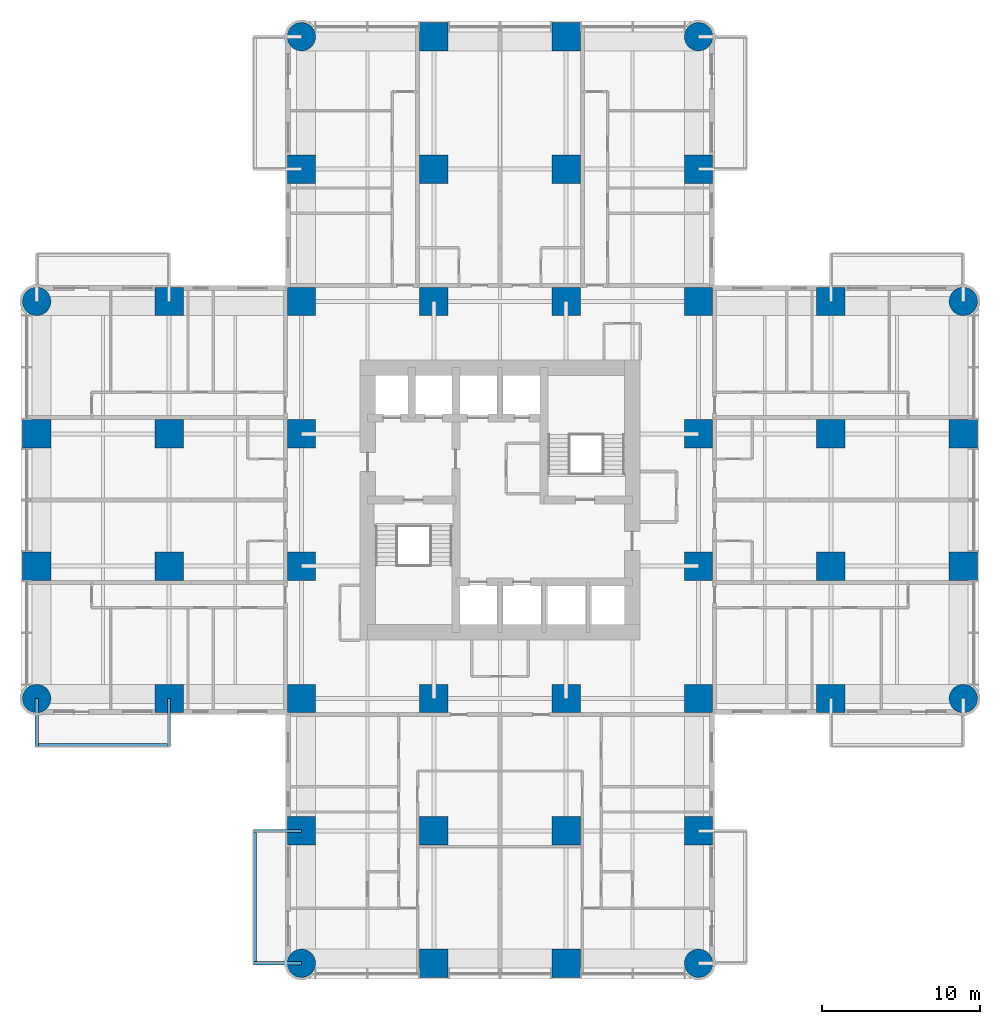
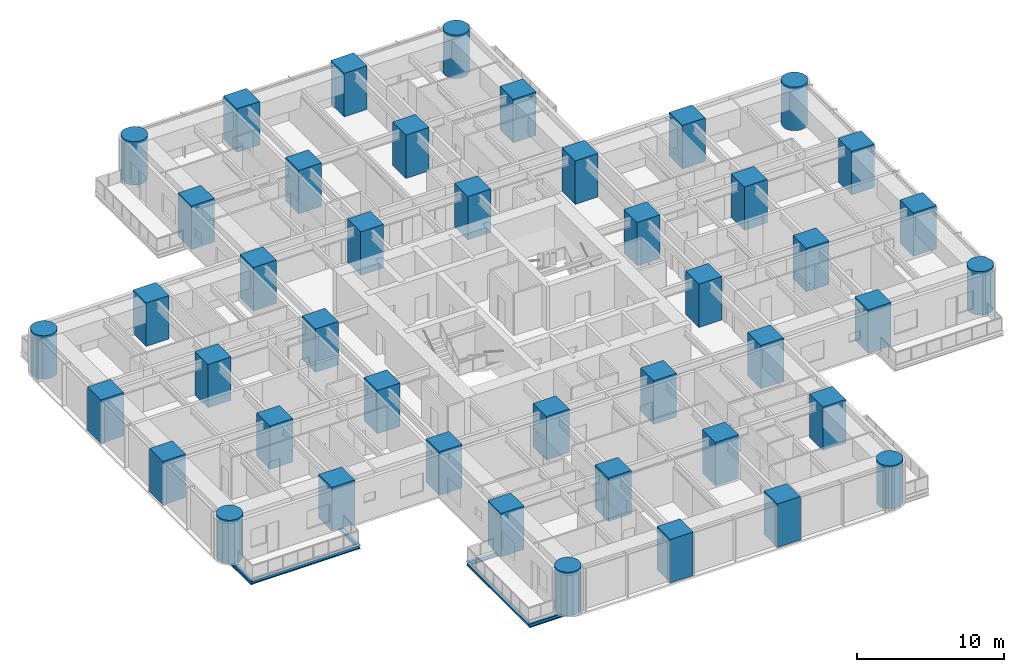
# One storey, part 1 of 17: 44 columns, 6 beams.
"""IFC4 building model written with IfcOpenShell, lengths in metres."""

from ifc_helpers import new_model, si_unit, direction, frame, origin, origin_2d, place, context, subcontext, project, spatial, rectangle, circle, i_section, extrude, material, material_profile, profile_set, type_object, element, save


model = new_model("IFC4")

# Units and contexts
model_context = context("Model", 3, precision=1e-05, world=origin(), true_north=direction((0.0, 1.0)))
body_context = subcontext(model_context, "Body", "Model", "MODEL_VIEW")
ifc_project = project(units=[si_unit("LENGTHUNIT", "METRE"), si_unit("AREAUNIT", "SQUARE_METRE"), si_unit("VOLUMEUNIT", "CUBIC_METRE"), si_unit("PLANEANGLEUNIT", "RADIAN"), si_unit("MASSUNIT", "GRAM", prefix="KILO")], contexts=[model_context])

# Site, building, storey
site_placement = place(None, origin())
site = spatial("IfcSite", under=ifc_project, at=site_placement, CompositionType="ELEMENT")
building_placement = place(site_placement, origin())
building = spatial("IfcBuilding", under=site, at=building_placement, Name="Torre Alcanfor", CompositionType="ELEMENT")
storey_placement = place(building_placement, frame((0.0, 0.0, 84.89990234375)))
storey = spatial("IfcBuildingStorey", under=building, at=storey_placement, Name="L21", CompositionType="ELEMENT", Elevation=84.89990234375)

# Columns
ifc_material_1 = material(Name="Concrete f'c 70 MPa", Category="concrete")
ifc_material_profile_1 = material_profile(ifc_material_1, rectangle(XDim=1.800048828125, YDim=1.800048828125, at=origin_2d()), Name="1800x1800")
ifc_profile_set_1 = profile_set([ifc_material_profile_1], Name="Concrete f'c 70 MPa")
column_type_1 = type_object("IfcColumnType", Name="RC column 1800x1800 f'c70", PredefinedType="COLUMN", material=ifc_profile_set_1)
for number, where, z_axis, x_axis, name in (
    (1, (0.0, 25.199951171875, 0.0), (0.0, 0.0, 1.0), (1.0, 0.0, 0.0), "Column 1/F L21"),
    (2, (0.0, 33.60009765625, 0.0), (0.0, 0.0, 1.0), (1.0, 0.0, 0.0), "Column 1/G L21"),
    (3, (8.39990234375, 16.800048828125, 0.0), (0.0, 0.0, 1.0), (1.0, 0.0, 0.0), "Column 2/E L21"),
    (4, (8.39990234375, 25.199951171875, 0.0), (0.0, 0.0, 1.0), (1.0, 0.0, 0.0), "Column 2/F L21"),
    (5, (8.39990234375, 33.60009765625, 0.0), (0.0, 0.0, 1.0), (1.0, 0.0, 0.0), "Column 2/G L21"),
    (6, (8.39990234375, 42.0, 0.0), (0.0, 0.0, 1.0), (1.0, 0.0, 0.0), "Column 2/H L21"),
    (7, (16.800048828125, 8.39990234375, 0.0), (0.0, 0.0, 1.0), (1.0, 0.0, 0.0), "Column 3/D L21"),
    (8, (16.800048828125, 16.800048828125, 0.0), (0.0, 0.0, 1.0), (1.0, 0.0, 0.0), "Column 3/E L21"),
    (9, (16.800048828125, 25.199951171875, 0.0), (0.0, 0.0, 1.0), (1.0, 0.0, 0.0), "Column 3/F L21"),
    (10, (16.800048828125, 33.60009765625, 0.0), (0.0, 0.0, 1.0), (1.0, 0.0, 0.0), "Column 3/G L21"),
    (11, (16.800048828125, 42.0, 0.0), (0.0, 0.0, 1.0), (1.0, 0.0, 0.0), "Column 3/H L21"),
    (12, (16.800048828125, 50.39990234375, 0.0), (0.0, 0.0, 1.0), (1.0, 0.0, 0.0), "Column 3/J L21"),
    (13, (25.199951171875, 0.0, 0.0), (0.0, 0.0, 1.0), (1.0, 0.0, 0.0), "Column 4/C L21"),
    (14, (25.199951171875, 8.39990234375, 0.0), (0.0, 0.0, 1.0), (1.0, 0.0, 0.0), "Column 4/D L21"),
    (15, (25.199951171875, 16.800048828125, 0.0), (0.0, 0.0, 1.0), (1.0, 0.0, 0.0), "Column 4/E L21"),
    (16, (25.199951171875, 42.0, 0.0), (0.0, 0.0, 1.0), (1.0, 0.0, 0.0), "Column 4/H L21"),
    (17, (25.199951171875, 50.39990234375, 0.0), (0.0, 0.0, 1.0), (1.0, 0.0, 0.0), "Column 4/J L21"),
    (18, (25.199951171875, 58.800048828125, 0.0), (0.0, 0.0, 1.0), (1.0, 0.0, 0.0), "Column 4/K L21"),
    (19, (33.60009765625, 0.0, 0.0), (0.0, 0.0, 1.0), (1.0, 0.0, 0.0), "Column 5/C L21"),
    (20, (33.60009765625, 8.39990234375, 0.0), (0.0, 0.0, 1.0), (1.0, 0.0, 0.0), "Column 5/D L21"),
    (21, (33.60009765625, 16.800048828125, 0.0), (0.0, 0.0, 1.0), (1.0, 0.0, 0.0), "Column 5/E L21"),
    (22, (33.60009765625, 42.0, 0.0), (0.0, 0.0, 1.0), (1.0, 0.0, 0.0), "Column 5/H L21"),
    (23, (33.60009765625, 50.39990234375, 0.0), (0.0, 0.0, 1.0), (1.0, 0.0, 0.0), "Column 5/J L21"),
    (24, (33.60009765625, 58.800048828125, 0.0), (0.0, 0.0, 1.0), (1.0, 0.0, 0.0), "Column 5/K L21"),
    (25, (42.0, 8.39990234375, 0.0), (0.0, 0.0, 1.0), (1.0, 0.0, 0.0), "Column 6/D L21"),
    (26, (42.0, 16.800048828125, 0.0), (0.0, 0.0, 1.0), (1.0, 0.0, 0.0), "Column 6/E L21"),
    (27, (42.0, 25.199951171875, 0.0), (0.0, 0.0, 1.0), (1.0, 0.0, 0.0), "Column 6/F L21"),
    (28, (42.0, 33.60009765625, 0.0), (0.0, 0.0, 1.0), (1.0, 0.0, 0.0), "Column 6/G L21"),
    (29, (42.0, 42.0, 0.0), (0.0, 0.0, 1.0), (1.0, 0.0, 0.0), "Column 6/H L21"),
    (30, (42.0, 50.39990234375, 0.0), (0.0, 0.0, 1.0), (1.0, 0.0, 0.0), "Column 6/J L21"),
    (31, (50.39990234375, 16.800048828125, 0.0), (0.0, 0.0, 1.0), (1.0, 0.0, 0.0), "Column 7/E L21"),
    (32, (50.39990234375, 25.199951171875, 0.0), (0.0, 0.0, 1.0), (1.0, 0.0, 0.0), "Column 7/F L21"),
    (33, (50.39990234375, 33.60009765625, 0.0), (0.0, 0.0, 1.0), (1.0, 0.0, 0.0), "Column 7/G L21"),
    (34, (50.39990234375, 42.0, 0.0), (0.0, 0.0, 1.0), (1.0, 0.0, 0.0), "Column 7/H L21"),
    (35, (58.800048828125, 25.199951171875, 0.0), (0.0, 0.0, 1.0), (1.0, 0.0, 0.0), "Column 8/F L21"),
    (36, (58.800048828125, 33.60009765625, 0.0), (0.0, 0.0, 1.0), (1.0, 0.0, 0.0), "Column 8/G L21"),
):
    element("IfcColumn", number, at=place(storey_placement, frame(where, z_axis=z_axis, x_axis=x_axis)), inside=storey, type_object=column_type_1, Name=name, PredefinedType="COLUMN", context=body_context, shape_type="SweptSolid", body=[
        extrude(rectangle(XDim=1.800048828125, YDim=1.800048828125, at=origin_2d()), origin(), (0.0, 0.0, 1.0), 3.60009765625),
    ])
ifc_material_2 = material(Name="Concrete f'c 70 MPa", Category="concrete")
ifc_material_profile_2 = material_profile(ifc_material_2, circle(Radius=0.89990234375, at=origin_2d()), Name="D1800")
ifc_profile_set_2 = profile_set([ifc_material_profile_2], Name="Concrete f'c 70 MPa")
column_type_2 = type_object("IfcColumnType", Name="RC column D1800 f'c70", PredefinedType="COLUMN", material=ifc_profile_set_2)
for number, where, z_axis, x_axis, name in (
    (37, (0.0, 16.800048828125, 0.0), (0.0, 0.0, 1.0), (1.0, 0.0, 0.0), "Column 1/E L21"),
    (38, (0.0, 42.0, 0.0), (0.0, 0.0, 1.0), (1.0, 0.0, 0.0), "Column 1/H L21"),
    (39, (16.800048828125, 0.0, 0.0), (0.0, 0.0, 1.0), (1.0, 0.0, 0.0), "Column 3/C L21"),
    (40, (16.800048828125, 58.800048828125, 0.0), (0.0, 0.0, 1.0), (1.0, 0.0, 0.0), "Column 3/K L21"),
    (41, (42.0, 0.0, 0.0), (0.0, 0.0, 1.0), (1.0, 0.0, 0.0), "Column 6/C L21"),
    (42, (42.0, 58.800048828125, 0.0), (0.0, 0.0, 1.0), (1.0, 0.0, 0.0), "Column 6/K L21"),
    (43, (58.800048828125, 16.800048828125, 0.0), (0.0, 0.0, 1.0), (1.0, 0.0, 0.0), "Column 8/E L21"),
    (44, (58.800048828125, 42.0, 0.0), (0.0, 0.0, 1.0), (1.0, 0.0, 0.0), "Column 8/H L21"),
):
    element("IfcColumn", number, at=place(storey_placement, frame(where, z_axis=z_axis, x_axis=x_axis)), inside=storey, type_object=column_type_2, Name=name, PredefinedType="COLUMN", context=body_context, shape_type="SweptSolid", body=[
        extrude(circle(Radius=0.89990234375, at=origin_2d()), origin(), (0.0, 0.0, 1.0), 3.60009765625),
    ])

# Beams
ifc_material_3 = material(Name="Steel ASTM A992 Grade 50", Category="steel")
ifc_material_profile_3 = material_profile(ifc_material_3, i_section(OverallWidth=0.205322265625, OverallDepth=0.309814453125, WebThickness=0.00927734375, FlangeThickness=0.016357421875, at=origin_2d()), Name="W12x50")
ifc_profile_set_3 = profile_set([ifc_material_profile_3], Name="Steel ASTM A992 Grade 50")
beam_type_1 = type_object("IfcBeamType", Name="Balcony cantilever beam W12x50", PredefinedType="BEAM", material=ifc_profile_set_3)
for number, where, z_axis, x_axis, name in (
    (45, (16.800048828125, 8.39990234375, -0.354736328125), (-1.0, 0.0, 0.0), (0.0, -1.0, 0.0), "Balcony cantilever beam L21-S2 1"),
    (46, (16.800048828125, 0.0, -0.354736328125), (-1.0, 0.0, 0.0), (0.0, -1.0, 0.0), "Balcony cantilever beam L21-S2 2"),
    (47, (8.39990234375, 16.800048828125, -0.354736328125), (0.0, -1.0, 0.0), (1.0, 0.0, 0.0), "Balcony cantilever beam L21-W1 1"),
    (48, (0.0, 16.800048828125, -0.354736328125), (0.0, -1.0, 0.0), (1.0, 0.0, 0.0), "Balcony cantilever beam L21-W1 2"),
):
    element("IfcBeam", number, at=place(storey_placement, frame(where, z_axis=z_axis, x_axis=x_axis)), inside=storey, type_object=beam_type_1, Name=name, PredefinedType="BEAM", context=body_context, shape_type="SweptSolid", body=[
        extrude(i_section(OverallWidth=0.205322265625, OverallDepth=0.309814453125, WebThickness=0.00927734375, FlangeThickness=0.016357421875, at=origin_2d()), origin(), (0.0, 0.0, 1.0), 3.050048828125),
    ])
ifc_material_4 = material(Name="Steel ASTM A992 Grade 50", Category="steel")
ifc_material_profile_4 = material_profile(ifc_material_4, i_section(OverallWidth=0.203369140625, OverallDepth=0.30224609375, WebThickness=0.007568359375, FlangeThickness=0.01318359375, at=origin_2d()), Name="W12x40")
ifc_profile_set_4 = profile_set([ifc_material_profile_4], Name="Steel ASTM A992 Grade 50")
beam_type_2 = type_object("IfcBeamType", Name="Balcony edge trimmer W12x40", PredefinedType="BEAM", material=ifc_profile_set_4)
for number, where, z_axis, x_axis, name in (
    (49, (13.851806640625, 8.39990234375, -0.35107421875), (0.0, -1.0, 0.0), (1.0, 0.0, 0.0), "Balcony edge trimmer L21-S2"),
    (50, (8.39990234375, 13.851806640625, -0.35107421875), (-1.0, 0.0, 0.0), (0.0, -1.0, 0.0), "Balcony edge trimmer L21-W1"),
):
    element("IfcBeam", number, at=place(storey_placement, frame(where, z_axis=z_axis, x_axis=x_axis)), inside=storey, type_object=beam_type_2, Name=name, PredefinedType="BEAM", context=body_context, shape_type="SweptSolid", body=[
        extrude(i_section(OverallWidth=0.203369140625, OverallDepth=0.30224609375, WebThickness=0.007568359375, FlangeThickness=0.01318359375, at=origin_2d()), origin(), (0.0, 0.0, 1.0), 8.39990234375),
    ])

save(model, "model.ifc")
